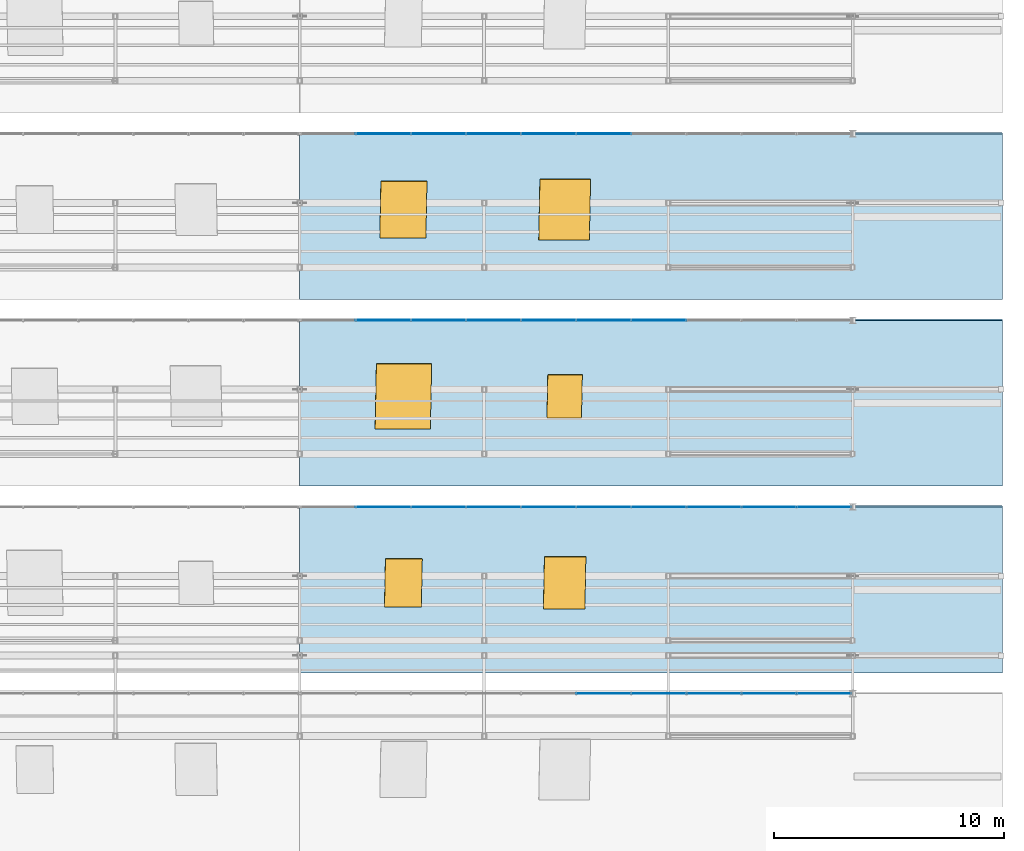
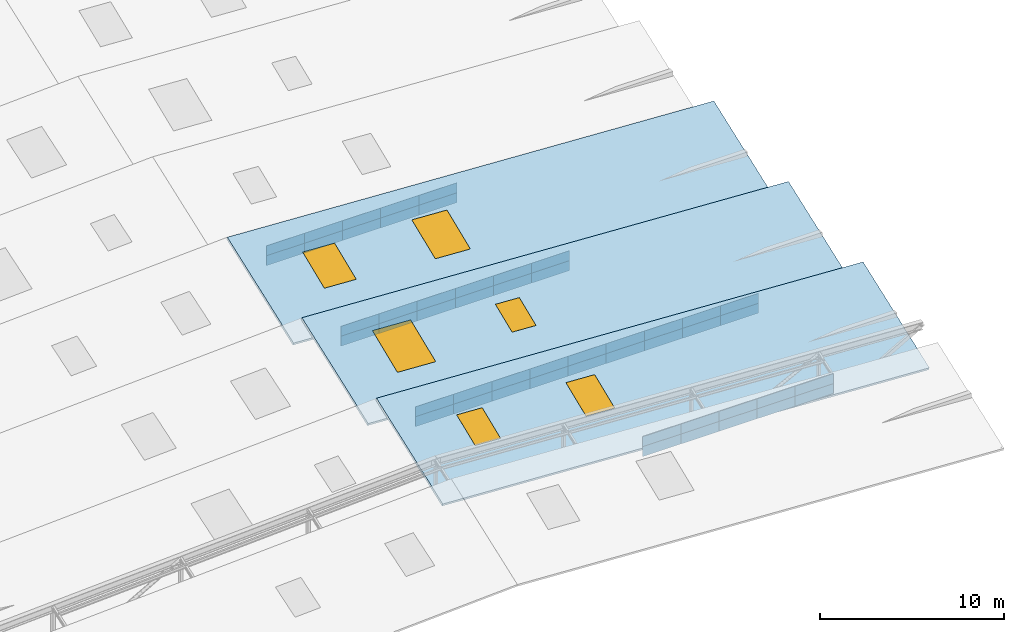
# One storey, part 128 of 141: 50 plates, 6 windows, 3 slabs, 6 openings, 5 elements without a shape of their own.
"""IFC4 building model written with IfcOpenShell, lengths in metres."""

from ifc_helpers import new_model, si_unit, direction, frame, origin, origin_2d, place, context, subcontext, project, spatial, polyline, rectangle, outline, extrude, material, layer, layer_set, type_object, element, fill, aggregate, save


model = new_model("IFC4")

# Units and contexts
model_context = context("Model", 3, precision=1e-05, world=origin(), true_north=direction((0.0, 1.0)))
body_context = subcontext(model_context, "Body", "Model", "MODEL_VIEW")
ifc_project = project(units=[si_unit("LENGTHUNIT", "METRE"), si_unit("AREAUNIT", "SQUARE_METRE"), si_unit("VOLUMEUNIT", "CUBIC_METRE"), si_unit("PLANEANGLEUNIT", "RADIAN"), si_unit("MASSUNIT", "GRAM", prefix="KILO")], contexts=[model_context])

# Site, building, storey
site_placement = place(None, origin())
site = spatial("IfcSite", under=ifc_project, at=site_placement, CompositionType="ELEMENT")
building_placement = place(site_placement, origin())
building = spatial("IfcBuilding", under=site, at=building_placement, Name="Sundkrona Museum", CompositionType="ELEMENT")
storey_placement = place(building_placement, frame((0.0, 0.0, 34.0)))
storey = spatial("IfcBuildingStorey", under=building, at=storey_placement, Name="RF", CompositionType="ELEMENT", Elevation=34.0)

# Curtain wall, plates
ifc_material_1 = material(Name="Unitised Aluminium-Steel and Ceramic-Clad Curtain Walling", Category="steel")
curtain_wall_type = type_object("IfcCurtainWallType", Name="CW-SW-240x13", PredefinedType="NOTDEFINED", material=ifc_material_1)
curtain_wall_1_placement = place(storey_placement, origin())
curtain_wall_1 = element("IfcCurtainWall", 1, at=curtain_wall_1_placement, inside=storey, type_object=curtain_wall_type, Name="Sawtooth Bay 1 East North-Light Clerestory", PredefinedType="NOTDEFINED")
ifc_material_2 = material(Name="North-Light Diffusing Triple Glazing 32 mm", Category="glass")
ifc_layer_1 = layer(ifc_material_2, 0.031982421875)
ifc_layer_set_1 = layer_set([ifc_layer_1], Name="North-Light Diffusing Triple Glazing 32 mm")
plate_type = type_object("IfcPlateType", Name="PN-GL-02", PredefinedType="CURTAIN_PANEL", material=ifc_layer_set_1)
plate_1_placement = place(storey_placement, frame((157.195068359375, 2.199951171875, 2.212890625), z_axis=(0.0, 0.0, 1.0), x_axis=(1.0, 0.0, 0.0)))
plate_1 = element("IfcPlate", 2, at=plate_1_placement, type_object=plate_type, Name="CW-RF-SAW-01E Panel 11", PredefinedType="CURTAIN_PANEL", context=body_context, shape_type="SweptSolid", body=[
    extrude(rectangle(XDim=2.389892578125, YDim=0.031982421875, at=origin_2d()), origin(), (0.0, 0.0, 1.0), 0.659912109375),
])
plate_2_placement = place(storey_placement, frame((157.195068359375, 2.199951171875, 2.873046875), z_axis=(0.0, 0.0, 1.0), x_axis=(1.0, 0.0, 0.0)))
plate_2 = element("IfcPlate", 3, at=plate_2_placement, type_object=plate_type, Name="CW-RF-SAW-01E Panel 12", PredefinedType="CURTAIN_PANEL", context=body_context, shape_type="SweptSolid", body=[
    extrude(rectangle(XDim=2.389892578125, YDim=0.031982421875, at=origin_2d()), origin(), (0.0, 0.0, 1.0), 0.659912109375),
])
plate_3_placement = place(storey_placement, frame((159.5849609375, 2.199951171875, 2.212890625), z_axis=(0.0, 0.0, 1.0), x_axis=(1.0, 0.0, 0.0)))
plate_3 = element("IfcPlate", 4, at=plate_3_placement, type_object=plate_type, Name="CW-RF-SAW-01E Panel 13", PredefinedType="CURTAIN_PANEL", context=body_context, shape_type="SweptSolid", body=[
    extrude(rectangle(XDim=2.389892578125, YDim=0.031982421875, at=origin_2d()), origin(), (0.0, 0.0, 1.0), 0.659912109375),
])
plate_4_placement = place(storey_placement, frame((159.5849609375, 2.199951171875, 2.873046875), z_axis=(0.0, 0.0, 1.0), x_axis=(1.0, 0.0, 0.0)))
plate_4 = element("IfcPlate", 5, at=plate_4_placement, type_object=plate_type, Name="CW-RF-SAW-01E Panel 14", PredefinedType="CURTAIN_PANEL", context=body_context, shape_type="SweptSolid", body=[
    extrude(rectangle(XDim=2.389892578125, YDim=0.031982421875, at=origin_2d()), origin(), (0.0, 0.0, 1.0), 0.659912109375),
])
plate_5_placement = place(storey_placement, frame((161.97509765625, 2.199951171875, 2.212890625), z_axis=(0.0, 0.0, 1.0), x_axis=(1.0, 0.0, 0.0)))
plate_5 = element("IfcPlate", 6, at=plate_5_placement, type_object=plate_type, Name="CW-RF-SAW-01E Panel 15", PredefinedType="CURTAIN_PANEL", context=body_context, shape_type="SweptSolid", body=[
    extrude(rectangle(XDim=2.389892578125, YDim=0.031982421875, at=origin_2d()), origin(), (0.0, 0.0, 1.0), 0.659912109375),
])
plate_6_placement = place(storey_placement, frame((161.97509765625, 2.199951171875, 2.873046875), z_axis=(0.0, 0.0, 1.0), x_axis=(1.0, 0.0, 0.0)))
plate_6 = element("IfcPlate", 7, at=plate_6_placement, type_object=plate_type, Name="CW-RF-SAW-01E Panel 16", PredefinedType="CURTAIN_PANEL", context=body_context, shape_type="SweptSolid", body=[
    extrude(rectangle(XDim=2.389892578125, YDim=0.031982421875, at=origin_2d()), origin(), (0.0, 0.0, 1.0), 0.659912109375),
])
plate_7_placement = place(storey_placement, frame((164.364990234375, 2.199951171875, 2.212890625), z_axis=(0.0, 0.0, 1.0), x_axis=(1.0, 0.0, 0.0)))
plate_7 = element("IfcPlate", 8, at=plate_7_placement, type_object=plate_type, Name="CW-RF-SAW-01E Panel 17", PredefinedType="CURTAIN_PANEL", context=body_context, shape_type="SweptSolid", body=[
    extrude(rectangle(XDim=2.389892578125, YDim=0.031982421875, at=origin_2d()), origin(), (0.0, 0.0, 1.0), 0.659912109375),
])
plate_8_placement = place(storey_placement, frame((164.364990234375, 2.199951171875, 2.873046875), z_axis=(0.0, 0.0, 1.0), x_axis=(1.0, 0.0, 0.0)))
plate_8 = element("IfcPlate", 9, at=plate_8_placement, type_object=plate_type, Name="CW-RF-SAW-01E Panel 18", PredefinedType="CURTAIN_PANEL", context=body_context, shape_type="SweptSolid", body=[
    extrude(rectangle(XDim=2.389892578125, YDim=0.031982421875, at=origin_2d()), origin(), (0.0, 0.0, 1.0), 0.659912109375),
])
plate_9_placement = place(storey_placement, frame((166.7548828125, 2.199951171875, 2.212890625), z_axis=(0.0, 0.0, 1.0), x_axis=(1.0, 0.0, 0.0)))
plate_9 = element("IfcPlate", 10, at=plate_9_placement, type_object=plate_type, Name="CW-RF-SAW-01E Panel 19", PredefinedType="CURTAIN_PANEL", context=body_context, shape_type="SweptSolid", body=[
    extrude(rectangle(XDim=2.389892578125, YDim=0.031982421875, at=origin_2d()), origin(), (0.0, 0.0, 1.0), 0.659912109375),
])
plate_10_placement = place(storey_placement, frame((166.7548828125, 2.199951171875, 2.873046875), z_axis=(0.0, 0.0, 1.0), x_axis=(1.0, 0.0, 0.0)))
plate_10 = element("IfcPlate", 11, at=plate_10_placement, type_object=plate_type, Name="CW-RF-SAW-01E Panel 20", PredefinedType="CURTAIN_PANEL", context=body_context, shape_type="SweptSolid", body=[
    extrude(rectangle(XDim=2.389892578125, YDim=0.031982421875, at=origin_2d()), origin(), (0.0, 0.0, 1.0), 0.659912109375),
])
aggregate(curtain_wall_1, [plate_1, plate_2, plate_3, plate_4, plate_5, plate_6, plate_7, plate_8, plate_9, plate_10])

curtain_wall_2_placement = place(storey_placement, origin())
curtain_wall_2 = element("IfcCurtainWall", 12, at=curtain_wall_2_placement, inside=storey, type_object=curtain_wall_type, Name="Sawtooth Bay 2 East North-Light Clerestory", PredefinedType="NOTDEFINED")
plate_11_placement = place(storey_placement, frame((147.635009765625, 10.300048828125, 2.6328125), z_axis=(0.0, 0.0, 1.0), x_axis=(1.0, 0.0, 0.0)))
plate_11 = element("IfcPlate", 13, at=plate_11_placement, type_object=plate_type, Name="CW-RF-SAW-02E Panel 03", PredefinedType="CURTAIN_PANEL", context=body_context, shape_type="SweptSolid", body=[
    extrude(rectangle(XDim=2.389892578125, YDim=0.031982421875, at=origin_2d()), origin(), (0.0, 0.0, 1.0), 0.659912109375),
])
plate_12_placement = place(storey_placement, frame((147.635009765625, 10.300048828125, 3.29296875), z_axis=(0.0, 0.0, 1.0), x_axis=(1.0, 0.0, 0.0)))
plate_12 = element("IfcPlate", 14, at=plate_12_placement, type_object=plate_type, Name="CW-RF-SAW-02E Panel 04", PredefinedType="CURTAIN_PANEL", context=body_context, shape_type="SweptSolid", body=[
    extrude(rectangle(XDim=2.389892578125, YDim=0.031982421875, at=origin_2d()), origin(), (0.0, 0.0, 1.0), 0.659912109375),
])
plate_13_placement = place(storey_placement, frame((150.02490234375, 10.300048828125, 2.6328125), z_axis=(0.0, 0.0, 1.0), x_axis=(1.0, 0.0, 0.0)))
plate_13 = element("IfcPlate", 15, at=plate_13_placement, type_object=plate_type, Name="CW-RF-SAW-02E Panel 05", PredefinedType="CURTAIN_PANEL", context=body_context, shape_type="SweptSolid", body=[
    extrude(rectangle(XDim=2.389892578125, YDim=0.031982421875, at=origin_2d()), origin(), (0.0, 0.0, 1.0), 0.659912109375),
])
plate_14_placement = place(storey_placement, frame((150.02490234375, 10.300048828125, 3.29296875), z_axis=(0.0, 0.0, 1.0), x_axis=(1.0, 0.0, 0.0)))
plate_14 = element("IfcPlate", 16, at=plate_14_placement, type_object=plate_type, Name="CW-RF-SAW-02E Panel 06", PredefinedType="CURTAIN_PANEL", context=body_context, shape_type="SweptSolid", body=[
    extrude(rectangle(XDim=2.389892578125, YDim=0.031982421875, at=origin_2d()), origin(), (0.0, 0.0, 1.0), 0.659912109375),
])
plate_15_placement = place(storey_placement, frame((152.4150390625, 10.300048828125, 2.6328125), z_axis=(0.0, 0.0, 1.0), x_axis=(1.0, 0.0, 0.0)))
plate_15 = element("IfcPlate", 17, at=plate_15_placement, type_object=plate_type, Name="CW-RF-SAW-02E Panel 07", PredefinedType="CURTAIN_PANEL", context=body_context, shape_type="SweptSolid", body=[
    extrude(rectangle(XDim=2.389892578125, YDim=0.031982421875, at=origin_2d()), origin(), (0.0, 0.0, 1.0), 0.659912109375),
])
plate_16_placement = place(storey_placement, frame((152.4150390625, 10.300048828125, 3.29296875), z_axis=(0.0, 0.0, 1.0), x_axis=(1.0, 0.0, 0.0)))
plate_16 = element("IfcPlate", 18, at=plate_16_placement, type_object=plate_type, Name="CW-RF-SAW-02E Panel 08", PredefinedType="CURTAIN_PANEL", context=body_context, shape_type="SweptSolid", body=[
    extrude(rectangle(XDim=2.389892578125, YDim=0.031982421875, at=origin_2d()), origin(), (0.0, 0.0, 1.0), 0.659912109375),
])
plate_17_placement = place(storey_placement, frame((154.804931640625, 10.300048828125, 2.6328125), z_axis=(0.0, 0.0, 1.0), x_axis=(1.0, 0.0, 0.0)))
plate_17 = element("IfcPlate", 19, at=plate_17_placement, type_object=plate_type, Name="CW-RF-SAW-02E Panel 09", PredefinedType="CURTAIN_PANEL", context=body_context, shape_type="SweptSolid", body=[
    extrude(rectangle(XDim=2.389892578125, YDim=0.031982421875, at=origin_2d()), origin(), (0.0, 0.0, 1.0), 0.659912109375),
])
plate_18_placement = place(storey_placement, frame((154.804931640625, 10.300048828125, 3.29296875), z_axis=(0.0, 0.0, 1.0), x_axis=(1.0, 0.0, 0.0)))
plate_18 = element("IfcPlate", 20, at=plate_18_placement, type_object=plate_type, Name="CW-RF-SAW-02E Panel 10", PredefinedType="CURTAIN_PANEL", context=body_context, shape_type="SweptSolid", body=[
    extrude(rectangle(XDim=2.389892578125, YDim=0.031982421875, at=origin_2d()), origin(), (0.0, 0.0, 1.0), 0.659912109375),
])
plate_19_placement = place(storey_placement, frame((157.195068359375, 10.300048828125, 2.6328125), z_axis=(0.0, 0.0, 1.0), x_axis=(1.0, 0.0, 0.0)))
plate_19 = element("IfcPlate", 21, at=plate_19_placement, type_object=plate_type, Name="CW-RF-SAW-02E Panel 11", PredefinedType="CURTAIN_PANEL", context=body_context, shape_type="SweptSolid", body=[
    extrude(rectangle(XDim=2.389892578125, YDim=0.031982421875, at=origin_2d()), origin(), (0.0, 0.0, 1.0), 0.659912109375),
])
plate_20_placement = place(storey_placement, frame((157.195068359375, 10.300048828125, 3.29296875), z_axis=(0.0, 0.0, 1.0), x_axis=(1.0, 0.0, 0.0)))
plate_20 = element("IfcPlate", 22, at=plate_20_placement, type_object=plate_type, Name="CW-RF-SAW-02E Panel 12", PredefinedType="CURTAIN_PANEL", context=body_context, shape_type="SweptSolid", body=[
    extrude(rectangle(XDim=2.389892578125, YDim=0.031982421875, at=origin_2d()), origin(), (0.0, 0.0, 1.0), 0.659912109375),
])
plate_21_placement = place(storey_placement, frame((159.5849609375, 10.300048828125, 2.6328125), z_axis=(0.0, 0.0, 1.0), x_axis=(1.0, 0.0, 0.0)))
plate_21 = element("IfcPlate", 23, at=plate_21_placement, type_object=plate_type, Name="CW-RF-SAW-02E Panel 13", PredefinedType="CURTAIN_PANEL", context=body_context, shape_type="SweptSolid", body=[
    extrude(rectangle(XDim=2.389892578125, YDim=0.031982421875, at=origin_2d()), origin(), (0.0, 0.0, 1.0), 0.659912109375),
])
plate_22_placement = place(storey_placement, frame((159.5849609375, 10.300048828125, 3.29296875), z_axis=(0.0, 0.0, 1.0), x_axis=(1.0, 0.0, 0.0)))
plate_22 = element("IfcPlate", 24, at=plate_22_placement, type_object=plate_type, Name="CW-RF-SAW-02E Panel 14", PredefinedType="CURTAIN_PANEL", context=body_context, shape_type="SweptSolid", body=[
    extrude(rectangle(XDim=2.389892578125, YDim=0.031982421875, at=origin_2d()), origin(), (0.0, 0.0, 1.0), 0.659912109375),
])
plate_23_placement = place(storey_placement, frame((161.97509765625, 10.300048828125, 2.6328125), z_axis=(0.0, 0.0, 1.0), x_axis=(1.0, 0.0, 0.0)))
plate_23 = element("IfcPlate", 25, at=plate_23_placement, type_object=plate_type, Name="CW-RF-SAW-02E Panel 15", PredefinedType="CURTAIN_PANEL", context=body_context, shape_type="SweptSolid", body=[
    extrude(rectangle(XDim=2.389892578125, YDim=0.031982421875, at=origin_2d()), origin(), (0.0, 0.0, 1.0), 0.659912109375),
])
plate_24_placement = place(storey_placement, frame((161.97509765625, 10.300048828125, 3.29296875), z_axis=(0.0, 0.0, 1.0), x_axis=(1.0, 0.0, 0.0)))
plate_24 = element("IfcPlate", 26, at=plate_24_placement, type_object=plate_type, Name="CW-RF-SAW-02E Panel 16", PredefinedType="CURTAIN_PANEL", context=body_context, shape_type="SweptSolid", body=[
    extrude(rectangle(XDim=2.389892578125, YDim=0.031982421875, at=origin_2d()), origin(), (0.0, 0.0, 1.0), 0.659912109375),
])
plate_25_placement = place(storey_placement, frame((164.364990234375, 10.300048828125, 2.6328125), z_axis=(0.0, 0.0, 1.0), x_axis=(1.0, 0.0, 0.0)))
plate_25 = element("IfcPlate", 27, at=plate_25_placement, type_object=plate_type, Name="CW-RF-SAW-02E Panel 17", PredefinedType="CURTAIN_PANEL", context=body_context, shape_type="SweptSolid", body=[
    extrude(rectangle(XDim=2.389892578125, YDim=0.031982421875, at=origin_2d()), origin(), (0.0, 0.0, 1.0), 0.659912109375),
])
plate_26_placement = place(storey_placement, frame((164.364990234375, 10.300048828125, 3.29296875), z_axis=(0.0, 0.0, 1.0), x_axis=(1.0, 0.0, 0.0)))
plate_26 = element("IfcPlate", 28, at=plate_26_placement, type_object=plate_type, Name="CW-RF-SAW-02E Panel 18", PredefinedType="CURTAIN_PANEL", context=body_context, shape_type="SweptSolid", body=[
    extrude(rectangle(XDim=2.389892578125, YDim=0.031982421875, at=origin_2d()), origin(), (0.0, 0.0, 1.0), 0.659912109375),
])
plate_27_placement = place(storey_placement, frame((166.7548828125, 10.300048828125, 2.6328125), z_axis=(0.0, 0.0, 1.0), x_axis=(1.0, 0.0, 0.0)))
plate_27 = element("IfcPlate", 29, at=plate_27_placement, type_object=plate_type, Name="CW-RF-SAW-02E Panel 19", PredefinedType="CURTAIN_PANEL", context=body_context, shape_type="SweptSolid", body=[
    extrude(rectangle(XDim=2.389892578125, YDim=0.031982421875, at=origin_2d()), origin(), (0.0, 0.0, 1.0), 0.659912109375),
])
plate_28_placement = place(storey_placement, frame((166.7548828125, 10.300048828125, 3.29296875), z_axis=(0.0, 0.0, 1.0), x_axis=(1.0, 0.0, 0.0)))
plate_28 = element("IfcPlate", 30, at=plate_28_placement, type_object=plate_type, Name="CW-RF-SAW-02E Panel 20", PredefinedType="CURTAIN_PANEL", context=body_context, shape_type="SweptSolid", body=[
    extrude(rectangle(XDim=2.389892578125, YDim=0.031982421875, at=origin_2d()), origin(), (0.0, 0.0, 1.0), 0.659912109375),
])
aggregate(curtain_wall_2, [plate_11, plate_12, plate_13, plate_14, plate_15, plate_16, plate_17, plate_18, plate_19, plate_20, plate_21, plate_22, plate_23, plate_24, plate_25, plate_26, plate_27, plate_28])

curtain_wall_3_placement = place(storey_placement, origin())
curtain_wall_3 = element("IfcCurtainWall", 31, at=curtain_wall_3_placement, inside=storey, type_object=curtain_wall_type, Name="Sawtooth Bay 3 East North-Light Clerestory", PredefinedType="NOTDEFINED")
plate_29_placement = place(storey_placement, frame((147.635009765625, 18.39990234375, 3.05322265625), z_axis=(0.0, 0.0, 1.0), x_axis=(1.0, 0.0, 0.0)))
plate_29 = element("IfcPlate", 32, at=plate_29_placement, type_object=plate_type, Name="CW-RF-SAW-03E Panel 03", PredefinedType="CURTAIN_PANEL", context=body_context, shape_type="SweptSolid", body=[
    extrude(rectangle(XDim=2.389892578125, YDim=0.031982421875, at=origin_2d()), origin(), (0.0, 0.0, 1.0), 0.659912109375),
])
plate_30_placement = place(storey_placement, frame((147.635009765625, 18.39990234375, 3.712890625), z_axis=(0.0, 0.0, 1.0), x_axis=(1.0, 0.0, 0.0)))
plate_30 = element("IfcPlate", 33, at=plate_30_placement, type_object=plate_type, Name="CW-RF-SAW-03E Panel 04", PredefinedType="CURTAIN_PANEL", context=body_context, shape_type="SweptSolid", body=[
    extrude(rectangle(XDim=2.389892578125, YDim=0.031982421875, at=origin_2d()), origin(), (0.0, 0.0, 1.0), 0.659912109375),
])
plate_31_placement = place(storey_placement, frame((150.02490234375, 18.39990234375, 3.05322265625), z_axis=(0.0, 0.0, 1.0), x_axis=(1.0, 0.0, 0.0)))
plate_31 = element("IfcPlate", 34, at=plate_31_placement, type_object=plate_type, Name="CW-RF-SAW-03E Panel 05", PredefinedType="CURTAIN_PANEL", context=body_context, shape_type="SweptSolid", body=[
    extrude(rectangle(XDim=2.389892578125, YDim=0.031982421875, at=origin_2d()), origin(), (0.0, 0.0, 1.0), 0.659912109375),
])
plate_32_placement = place(storey_placement, frame((150.02490234375, 18.39990234375, 3.712890625), z_axis=(0.0, 0.0, 1.0), x_axis=(1.0, 0.0, 0.0)))
plate_32 = element("IfcPlate", 35, at=plate_32_placement, type_object=plate_type, Name="CW-RF-SAW-03E Panel 06", PredefinedType="CURTAIN_PANEL", context=body_context, shape_type="SweptSolid", body=[
    extrude(rectangle(XDim=2.389892578125, YDim=0.031982421875, at=origin_2d()), origin(), (0.0, 0.0, 1.0), 0.659912109375),
])
plate_33_placement = place(storey_placement, frame((152.4150390625, 18.39990234375, 3.05322265625), z_axis=(0.0, 0.0, 1.0), x_axis=(1.0, 0.0, 0.0)))
plate_33 = element("IfcPlate", 36, at=plate_33_placement, type_object=plate_type, Name="CW-RF-SAW-03E Panel 07", PredefinedType="CURTAIN_PANEL", context=body_context, shape_type="SweptSolid", body=[
    extrude(rectangle(XDim=2.389892578125, YDim=0.031982421875, at=origin_2d()), origin(), (0.0, 0.0, 1.0), 0.659912109375),
])
plate_34_placement = place(storey_placement, frame((152.4150390625, 18.39990234375, 3.712890625), z_axis=(0.0, 0.0, 1.0), x_axis=(1.0, 0.0, 0.0)))
plate_34 = element("IfcPlate", 37, at=plate_34_placement, type_object=plate_type, Name="CW-RF-SAW-03E Panel 08", PredefinedType="CURTAIN_PANEL", context=body_context, shape_type="SweptSolid", body=[
    extrude(rectangle(XDim=2.389892578125, YDim=0.031982421875, at=origin_2d()), origin(), (0.0, 0.0, 1.0), 0.659912109375),
])
plate_35_placement = place(storey_placement, frame((154.804931640625, 18.39990234375, 3.05322265625), z_axis=(0.0, 0.0, 1.0), x_axis=(1.0, 0.0, 0.0)))
plate_35 = element("IfcPlate", 38, at=plate_35_placement, type_object=plate_type, Name="CW-RF-SAW-03E Panel 09", PredefinedType="CURTAIN_PANEL", context=body_context, shape_type="SweptSolid", body=[
    extrude(rectangle(XDim=2.389892578125, YDim=0.031982421875, at=origin_2d()), origin(), (0.0, 0.0, 1.0), 0.659912109375),
])
plate_36_placement = place(storey_placement, frame((154.804931640625, 18.39990234375, 3.712890625), z_axis=(0.0, 0.0, 1.0), x_axis=(1.0, 0.0, 0.0)))
plate_36 = element("IfcPlate", 39, at=plate_36_placement, type_object=plate_type, Name="CW-RF-SAW-03E Panel 10", PredefinedType="CURTAIN_PANEL", context=body_context, shape_type="SweptSolid", body=[
    extrude(rectangle(XDim=2.389892578125, YDim=0.031982421875, at=origin_2d()), origin(), (0.0, 0.0, 1.0), 0.659912109375),
])
plate_37_placement = place(storey_placement, frame((157.195068359375, 18.39990234375, 3.05322265625), z_axis=(0.0, 0.0, 1.0), x_axis=(1.0, 0.0, 0.0)))
plate_37 = element("IfcPlate", 40, at=plate_37_placement, type_object=plate_type, Name="CW-RF-SAW-03E Panel 11", PredefinedType="CURTAIN_PANEL", context=body_context, shape_type="SweptSolid", body=[
    extrude(rectangle(XDim=2.389892578125, YDim=0.031982421875, at=origin_2d()), origin(), (0.0, 0.0, 1.0), 0.659912109375),
])
plate_38_placement = place(storey_placement, frame((157.195068359375, 18.39990234375, 3.712890625), z_axis=(0.0, 0.0, 1.0), x_axis=(1.0, 0.0, 0.0)))
plate_38 = element("IfcPlate", 41, at=plate_38_placement, type_object=plate_type, Name="CW-RF-SAW-03E Panel 12", PredefinedType="CURTAIN_PANEL", context=body_context, shape_type="SweptSolid", body=[
    extrude(rectangle(XDim=2.389892578125, YDim=0.031982421875, at=origin_2d()), origin(), (0.0, 0.0, 1.0), 0.659912109375),
])
plate_39_placement = place(storey_placement, frame((159.5849609375, 18.39990234375, 3.05322265625), z_axis=(0.0, 0.0, 1.0), x_axis=(1.0, 0.0, 0.0)))
plate_39 = element("IfcPlate", 42, at=plate_39_placement, type_object=plate_type, Name="CW-RF-SAW-03E Panel 13", PredefinedType="CURTAIN_PANEL", context=body_context, shape_type="SweptSolid", body=[
    extrude(rectangle(XDim=2.389892578125, YDim=0.031982421875, at=origin_2d()), origin(), (0.0, 0.0, 1.0), 0.659912109375),
])
plate_40_placement = place(storey_placement, frame((159.5849609375, 18.39990234375, 3.712890625), z_axis=(0.0, 0.0, 1.0), x_axis=(1.0, 0.0, 0.0)))
plate_40 = element("IfcPlate", 43, at=plate_40_placement, type_object=plate_type, Name="CW-RF-SAW-03E Panel 14", PredefinedType="CURTAIN_PANEL", context=body_context, shape_type="SweptSolid", body=[
    extrude(rectangle(XDim=2.389892578125, YDim=0.031982421875, at=origin_2d()), origin(), (0.0, 0.0, 1.0), 0.659912109375),
])
aggregate(curtain_wall_3, [plate_29, plate_30, plate_31, plate_32, plate_33, plate_34, plate_35, plate_36, plate_37, plate_38, plate_39, plate_40])

curtain_wall_4_placement = place(storey_placement, origin())
curtain_wall_4 = element("IfcCurtainWall", 44, at=curtain_wall_4_placement, inside=storey, type_object=curtain_wall_type, Name="Sawtooth Bay 4 East North-Light Clerestory", PredefinedType="NOTDEFINED")
plate_41_placement = place(storey_placement, frame((147.635009765625, 26.5, 3.47314453125), z_axis=(0.0, 0.0, 1.0), x_axis=(1.0, 0.0, 0.0)))
plate_41 = element("IfcPlate", 45, at=plate_41_placement, type_object=plate_type, Name="CW-RF-SAW-04E Panel 03", PredefinedType="CURTAIN_PANEL", context=body_context, shape_type="SweptSolid", body=[
    extrude(rectangle(XDim=2.389892578125, YDim=0.031982421875, at=origin_2d()), origin(), (0.0, 0.0, 1.0), 0.659912109375),
])
plate_42_placement = place(storey_placement, frame((147.635009765625, 26.5, 4.1328125), z_axis=(0.0, 0.0, 1.0), x_axis=(1.0, 0.0, 0.0)))
plate_42 = element("IfcPlate", 46, at=plate_42_placement, type_object=plate_type, Name="CW-RF-SAW-04E Panel 04", PredefinedType="CURTAIN_PANEL", context=body_context, shape_type="SweptSolid", body=[
    extrude(rectangle(XDim=2.389892578125, YDim=0.031982421875, at=origin_2d()), origin(), (0.0, 0.0, 1.0), 0.659912109375),
])
plate_43_placement = place(storey_placement, frame((150.02490234375, 26.5, 3.47314453125), z_axis=(0.0, 0.0, 1.0), x_axis=(1.0, 0.0, 0.0)))
plate_43 = element("IfcPlate", 47, at=plate_43_placement, type_object=plate_type, Name="CW-RF-SAW-04E Panel 05", PredefinedType="CURTAIN_PANEL", context=body_context, shape_type="SweptSolid", body=[
    extrude(rectangle(XDim=2.389892578125, YDim=0.031982421875, at=origin_2d()), origin(), (0.0, 0.0, 1.0), 0.659912109375),
])
plate_44_placement = place(storey_placement, frame((150.02490234375, 26.5, 4.1328125), z_axis=(0.0, 0.0, 1.0), x_axis=(1.0, 0.0, 0.0)))
plate_44 = element("IfcPlate", 48, at=plate_44_placement, type_object=plate_type, Name="CW-RF-SAW-04E Panel 06", PredefinedType="CURTAIN_PANEL", context=body_context, shape_type="SweptSolid", body=[
    extrude(rectangle(XDim=2.389892578125, YDim=0.031982421875, at=origin_2d()), origin(), (0.0, 0.0, 1.0), 0.659912109375),
])
plate_45_placement = place(storey_placement, frame((152.4150390625, 26.5, 3.47314453125), z_axis=(0.0, 0.0, 1.0), x_axis=(1.0, 0.0, 0.0)))
plate_45 = element("IfcPlate", 49, at=plate_45_placement, type_object=plate_type, Name="CW-RF-SAW-04E Panel 07", PredefinedType="CURTAIN_PANEL", context=body_context, shape_type="SweptSolid", body=[
    extrude(rectangle(XDim=2.389892578125, YDim=0.031982421875, at=origin_2d()), origin(), (0.0, 0.0, 1.0), 0.659912109375),
])
plate_46_placement = place(storey_placement, frame((152.4150390625, 26.5, 4.1328125), z_axis=(0.0, 0.0, 1.0), x_axis=(1.0, 0.0, 0.0)))
plate_46 = element("IfcPlate", 50, at=plate_46_placement, type_object=plate_type, Name="CW-RF-SAW-04E Panel 08", PredefinedType="CURTAIN_PANEL", context=body_context, shape_type="SweptSolid", body=[
    extrude(rectangle(XDim=2.389892578125, YDim=0.031982421875, at=origin_2d()), origin(), (0.0, 0.0, 1.0), 0.659912109375),
])
plate_47_placement = place(storey_placement, frame((154.804931640625, 26.5, 3.47314453125), z_axis=(0.0, 0.0, 1.0), x_axis=(1.0, 0.0, 0.0)))
plate_47 = element("IfcPlate", 51, at=plate_47_placement, type_object=plate_type, Name="CW-RF-SAW-04E Panel 09", PredefinedType="CURTAIN_PANEL", context=body_context, shape_type="SweptSolid", body=[
    extrude(rectangle(XDim=2.389892578125, YDim=0.031982421875, at=origin_2d()), origin(), (0.0, 0.0, 1.0), 0.659912109375),
])
plate_48_placement = place(storey_placement, frame((154.804931640625, 26.5, 4.1328125), z_axis=(0.0, 0.0, 1.0), x_axis=(1.0, 0.0, 0.0)))
plate_48 = element("IfcPlate", 52, at=plate_48_placement, type_object=plate_type, Name="CW-RF-SAW-04E Panel 10", PredefinedType="CURTAIN_PANEL", context=body_context, shape_type="SweptSolid", body=[
    extrude(rectangle(XDim=2.389892578125, YDim=0.031982421875, at=origin_2d()), origin(), (0.0, 0.0, 1.0), 0.659912109375),
])
plate_49_placement = place(storey_placement, frame((157.195068359375, 26.5, 3.47314453125), z_axis=(0.0, 0.0, 1.0), x_axis=(1.0, 0.0, 0.0)))
plate_49 = element("IfcPlate", 53, at=plate_49_placement, type_object=plate_type, Name="CW-RF-SAW-04E Panel 11", PredefinedType="CURTAIN_PANEL", context=body_context, shape_type="SweptSolid", body=[
    extrude(rectangle(XDim=2.389892578125, YDim=0.031982421875, at=origin_2d()), origin(), (0.0, 0.0, 1.0), 0.659912109375),
])
plate_50_placement = place(storey_placement, frame((157.195068359375, 26.5, 4.1328125), z_axis=(0.0, 0.0, 1.0), x_axis=(1.0, 0.0, 0.0)))
plate_50 = element("IfcPlate", 54, at=plate_50_placement, type_object=plate_type, Name="CW-RF-SAW-04E Panel 12", PredefinedType="CURTAIN_PANEL", context=body_context, shape_type="SweptSolid", body=[
    extrude(rectangle(XDim=2.389892578125, YDim=0.031982421875, at=origin_2d()), origin(), (0.0, 0.0, 1.0), 0.659912109375),
])
aggregate(curtain_wall_4, [plate_41, plate_42, plate_43, plate_44, plate_45, plate_46, plate_47, plate_48, plate_49, plate_50])

# Roof, slabs, openings, windows
ifc_material_3 = material(Name="Patinated Copper and Composite Steel-Concrete", Category="concrete")
ifc_layer_2 = layer(ifc_material_3, 0.179931640625)
ifc_layer_set_2 = layer_set([ifc_layer_2], Name="Patinated Copper and Composite Steel-Concrete")
roof_type = type_object("IfcRoofType", Name="ROOF-PAV", PredefinedType="PAVILION_ROOF", material=ifc_layer_set_2)
roof_placement = place(storey_placement, origin())
roof = element("IfcRoof", 55, at=roof_placement, inside=storey, type_object=roof_type, Name="Volume 1 Crown Seven-Bay Sawtooth North-Light Roof", PredefinedType="PAVILION_ROOF")
ifc_material_4 = material(Name="Concrete C35/45", Category="concrete")
ifc_layer_3 = layer(ifc_material_4, 0.179931640625)
ifc_layer_set_3 = layer_set([ifc_layer_3], Name="Concrete C35/45")
slab_type = type_object("IfcSlabType", Name="SL-SW-180", PredefinedType="ROOF", material=ifc_layer_set_3)
slab_1_placement = place(storey_placement, frame((144.0, 3.10009765625, 2.719970703125), z_axis=(0.050704191351, -0.344963903747, 0.937245426818), x_axis=(0.998539870354, 1.29212e-06, -0.054019693748)))
slab_1 = element("IfcSlab", 56, at=slab_1_placement, type_object=slab_type, Name="Sawtooth Folded Blade 2 East", PredefinedType="ROOF", context=body_context, shape_type="SweptSolid", body=[
    extrude(outline(polyline([(0.0, 0.0), (30.544593265107036, 1.1102230246251565e-16), (30.401455655232013, 7.670775118613867), (-0.14315079827681657, 7.67085921536124), (0.0, 0.0)])), origin(), (0.0, 0.0, -1.0), 0.179931640625),
])
opening_1_placement = place(slab_1_placement, frame((4.428955078125, 4.155029296875, 0.010009765625)))
opening_1 = element("IfcOpeningElement", 57, at=opening_1_placement, cuts=slab_1, Name="Opening RL-160x220", PredefinedType="OPENING", context=body_context, shape_type="SweptSolid", body=[
    extrude(rectangle(XDim=1.60009765625, YDim=2.199951171875, at=origin_2d()), origin(), (0.0, 0.0, -1.0), 0.199951171875),
])
opening_2_placement = place(slab_1_placement, frame((11.439208984375, 4.155029296875, 0.010009765625)))
opening_2 = element("IfcOpeningElement", 58, at=opening_2_placement, cuts=slab_1, Name="Opening RL-180x240", PredefinedType="OPENING", context=body_context, shape_type="SweptSolid", body=[
    extrude(rectangle(XDim=1.800048828125, YDim=2.39990234375, at=origin_2d()), origin(), (0.0, 0.0, -1.0), 0.199951171875),
])
ifc_material_5 = material(Name="Triple Laminated UV-Filtered Skylight Glazing", Category="glass")
window_type_1 = type_object("IfcWindowType", Name="RL-160x220", PartitioningType="SINGLE_PANEL", PredefinedType="SKYLIGHT", material=ifc_material_5)
window_1_placement = place(slab_1_placement, frame((4.428955078125, 4.155029296875, 0.0)))
window_1 = element("IfcWindow", 59, at=window_1_placement, inside=storey, type_object=window_type_1, Name="Rooflight", OverallHeight=2.199951171875, OverallWidth=1.60009765625, PartitioningType="SINGLE_PANEL", PredefinedType="SKYLIGHT", context=body_context, shape_type="SweptSolid", body=[
    extrude(rectangle(XDim=1.60009765625, YDim=2.199951171875, at=origin_2d()), origin(), (0.0, 0.0, -1.0), 0.06005859375),
])
fill(opening_1, window_1)
window_type_2 = type_object("IfcWindowType", Name="RL-180x240", PartitioningType="SINGLE_PANEL", PredefinedType="SKYLIGHT", material=ifc_material_5)
window_2_placement = place(slab_1_placement, frame((11.439208984375, 4.155029296875, 0.0)))
window_2 = element("IfcWindow", 60, at=window_2_placement, inside=storey, type_object=window_type_2, Name="Rooflight", OverallHeight=2.39990234375, OverallWidth=1.800048828125, PartitioningType="SINGLE_PANEL", PredefinedType="SKYLIGHT", context=body_context, shape_type="SweptSolid", body=[
    extrude(rectangle(XDim=1.800048828125, YDim=2.39990234375, at=origin_2d()), origin(), (0.0, 0.0, -1.0), 0.06005859375),
])
fill(opening_2, window_2)
slab_2_placement = place(storey_placement, frame((144.0, 11.199951171875, 3.139892578125), z_axis=(0.050704191351, -0.344963903747, 0.937245426818), x_axis=(0.998539870354, 1.29212e-06, -0.054019693748)))
slab_2 = element("IfcSlab", 61, at=slab_2_placement, type_object=slab_type, Name="Sawtooth Folded Blade 3 East", PredefinedType="ROOF", context=body_context, shape_type="SweptSolid", body=[
    extrude(outline(polyline([(0.0, 0.0), (30.544593265107036, 1.1102230246251565e-16), (30.401455655232013, 7.670775118613867), (-0.14315079827681657, 7.67085921536124), (0.0, 0.0)])), origin(), (0.0, 0.0, -1.0), 0.179931640625),
])
opening_3_placement = place(slab_2_placement, frame((4.428955078125, 4.1552734375, 0.010009765625)))
opening_3 = element("IfcOpeningElement", 62, at=opening_3_placement, cuts=slab_2, Name="Opening RL-240x300", PredefinedType="OPENING", context=body_context, shape_type="SweptSolid", body=[
    extrude(rectangle(XDim=2.39990234375, YDim=3.0, at=origin_2d()), origin(), (0.0, 0.0, -1.0), 0.199951171875),
])
opening_4_placement = place(slab_2_placement, frame((11.439208984375, 4.1552734375, 0.010009765625)))
opening_4 = element("IfcOpeningElement", 63, at=opening_4_placement, cuts=slab_2, Name="Opening RL-150x200", PredefinedType="OPENING", context=body_context, shape_type="SweptSolid", body=[
    extrude(rectangle(XDim=1.5, YDim=2.0, at=origin_2d()), origin(), (0.0, 0.0, -1.0), 0.199951171875),
])
window_type_3 = type_object("IfcWindowType", Name="RL-150x200", PartitioningType="SINGLE_PANEL", PredefinedType="SKYLIGHT", material=ifc_material_5)
window_3_placement = place(slab_2_placement, frame((11.439208984375, 4.1552734375, 0.0)))
window_3 = element("IfcWindow", 64, at=window_3_placement, inside=storey, type_object=window_type_3, Name="Rooflight", OverallHeight=2.0, OverallWidth=1.5, PartitioningType="SINGLE_PANEL", PredefinedType="SKYLIGHT", context=body_context, shape_type="SweptSolid", body=[
    extrude(rectangle(XDim=1.5, YDim=2.0, at=origin_2d()), origin(), (0.0, 0.0, -1.0), 0.06005859375),
])
fill(opening_4, window_3)
window_type_4 = type_object("IfcWindowType", Name="RL-240x300", PartitioningType="SINGLE_PANEL", PredefinedType="SKYLIGHT", material=ifc_material_5)
window_4_placement = place(slab_2_placement, frame((4.428955078125, 4.1552734375, 0.0)))
window_4 = element("IfcWindow", 65, at=window_4_placement, inside=storey, type_object=window_type_4, Name="Rooflight", OverallHeight=3.0, OverallWidth=2.39990234375, PartitioningType="SINGLE_PANEL", PredefinedType="SKYLIGHT", context=body_context, shape_type="SweptSolid", body=[
    extrude(rectangle(XDim=2.39990234375, YDim=3.0, at=origin_2d()), origin(), (0.0, 0.0, -1.0), 0.06005859375),
])
fill(opening_3, window_4)
slab_3_placement = place(storey_placement, frame((144.0, 19.300048828125, 3.56005859375), z_axis=(0.050704191351, -0.344963903747, 0.937245426818), x_axis=(0.998539819047, -1.292119e-06, -0.054020642131)))
slab_3 = element("IfcSlab", 66, at=slab_3_placement, type_object=slab_type, Name="Sawtooth Folded Blade 4 East", PredefinedType="ROOF", context=body_context, shape_type="SweptSolid", body=[
    extrude(outline(polyline([(0.0, 0.0), (30.544606453624603, 1.1102230246251565e-16), (30.401434535602995, 7.670858821203123), (-0.1431587293882732, 7.670774724492062), (0.0, 0.0)])), origin(), (0.0, 0.0, -1.0), 0.179931640625),
])
opening_5_placement = place(slab_3_placement, frame((4.428955078125, 4.155029296875, 0.010009765625)))
opening_5 = element("IfcOpeningElement", 67, at=opening_5_placement, cuts=slab_3, Name="Opening RL-200x260", PredefinedType="OPENING", context=body_context, shape_type="SweptSolid", body=[
    extrude(rectangle(XDim=2.0, YDim=2.60009765625, at=origin_2d()), origin(), (0.0, 0.0, -1.0), 0.199951171875),
])
opening_6_placement = place(slab_3_placement, frame((11.439208984375, 4.155029296875, 0.010009765625)))
opening_6 = element("IfcOpeningElement", 68, at=opening_6_placement, cuts=slab_3, Name="Opening RL-220x280", PredefinedType="OPENING", context=body_context, shape_type="SweptSolid", body=[
    extrude(rectangle(XDim=2.199951171875, YDim=2.800048828125, at=origin_2d()), origin(), (0.0, 0.0, -1.0), 0.199951171875),
])
window_type_5 = type_object("IfcWindowType", Name="RL-200x260", PartitioningType="SINGLE_PANEL", PredefinedType="SKYLIGHT", material=ifc_material_5)
window_5_placement = place(slab_3_placement, frame((4.428955078125, 4.155029296875, 0.0)))
window_5 = element("IfcWindow", 69, at=window_5_placement, inside=storey, type_object=window_type_5, Name="Rooflight", OverallHeight=2.60009765625, OverallWidth=2.0, PartitioningType="SINGLE_PANEL", PredefinedType="SKYLIGHT", context=body_context, shape_type="SweptSolid", body=[
    extrude(rectangle(XDim=2.0, YDim=2.60009765625, at=origin_2d()), origin(), (0.0, 0.0, -1.0), 0.06005859375),
])
fill(opening_5, window_5)
window_type_6 = type_object("IfcWindowType", Name="RL-220x280", PartitioningType="SINGLE_PANEL", PredefinedType="SKYLIGHT", material=ifc_material_5)
window_6_placement = place(slab_3_placement, frame((11.439208984375, 4.155029296875, 0.0)))
window_6 = element("IfcWindow", 70, at=window_6_placement, inside=storey, type_object=window_type_6, Name="Rooflight", OverallHeight=2.800048828125, OverallWidth=2.199951171875, PartitioningType="SINGLE_PANEL", PredefinedType="SKYLIGHT", context=body_context, shape_type="SweptSolid", body=[
    extrude(rectangle(XDim=2.199951171875, YDim=2.800048828125, at=origin_2d()), origin(), (0.0, 0.0, -1.0), 0.06005859375),
])
fill(opening_6, window_6)
aggregate(roof, [slab_1, slab_2, slab_3])

save(model, "model.ifc")
